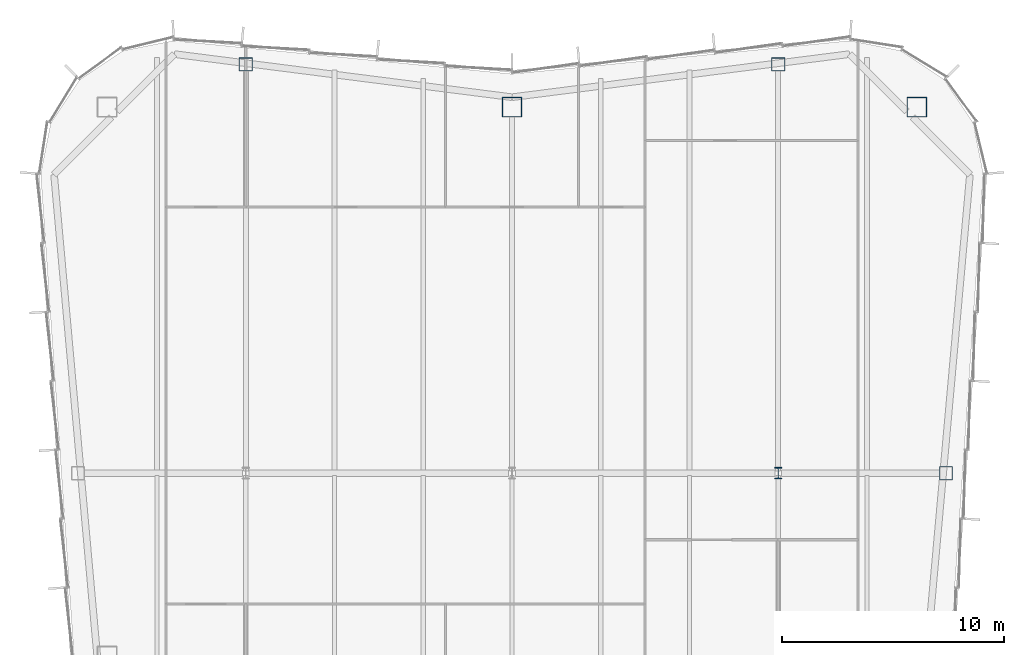
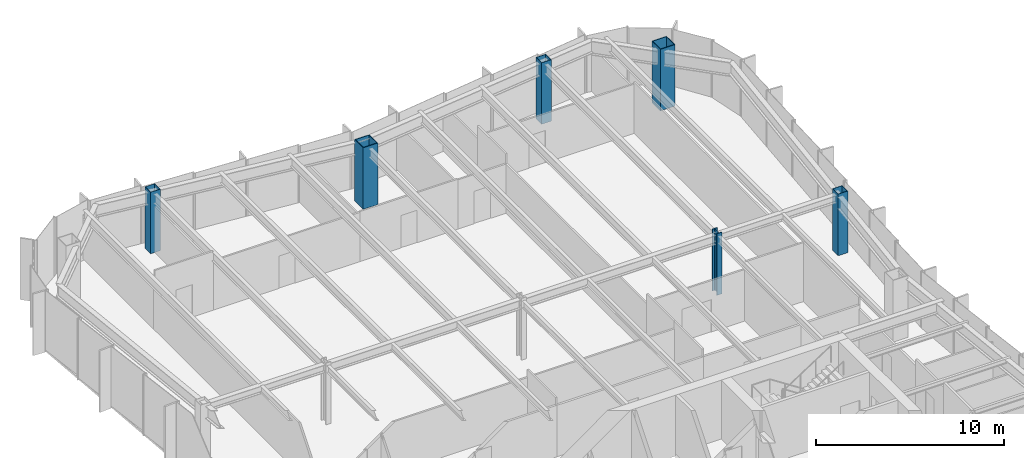
# One storey, part 2 of 13: 6 columns.
"""IFC4 building model written with IfcOpenShell, lengths in metres."""

from ifc_helpers import new_model, si_unit, direction, frame, origin, origin_2d, place, context, subcontext, project, spatial, hollow_rectangle, i_section, extrude, material, material_profile, profile_set, type_object, element, save


model = new_model("IFC4")

# Units and contexts
model_context = context("Model", 3, precision=1e-05, world=origin(), true_north=direction((0.0, 1.0)))
body_context = subcontext(model_context, "Body", "Model", "MODEL_VIEW")
ifc_project = project(units=[si_unit("LENGTHUNIT", "METRE"), si_unit("AREAUNIT", "SQUARE_METRE"), si_unit("VOLUMEUNIT", "CUBIC_METRE"), si_unit("PLANEANGLEUNIT", "RADIAN"), si_unit("MASSUNIT", "GRAM", prefix="KILO")], contexts=[model_context])

# Site, building, storey
site_placement = place(None, origin())
site = spatial("IfcSite", under=ifc_project, at=site_placement, CompositionType="ELEMENT")
building_placement = place(site_placement, origin())
building = spatial("IfcBuilding", under=site, at=building_placement, Name="Verdant Reach Tower", CompositionType="ELEMENT")
storey_placement = place(building_placement, frame((0.0, 0.0, 330.0)))
storey = spatial("IfcBuildingStorey", under=building, at=storey_placement, Name="L76", CompositionType="ELEMENT", Elevation=330.0)

# Columns
ifc_material = material(Name="Steel S460", Category="steel")
ifc_material_profile_1 = material_profile(ifc_material, i_section(OverallWidth=0.305908203125, OverallDepth=0.52392578125, WebThickness=0.012451171875, FlangeThickness=0.0400390625, FilletRadius=0.027099609375, at=origin_2d()), Name="HEM 500")
ifc_profile_set_1 = profile_set([ifc_material_profile_1], Name="Steel S460")
column_type_1 = type_object("IfcColumnType", Name="ST-COL-HEM500", PredefinedType="COLUMN", material=ifc_profile_set_1)
column_placement = place(storey_placement, frame((12.0, 49.5, 0.0), z_axis=(0.0, 0.0, 1.0), x_axis=(1.0, 0.0, 0.0)))
element("IfcColumn", 1, at=column_placement, inside=storey, type_object=column_type_1, Name="Interior column 3, L76", PredefinedType="COLUMN", context=body_context, shape_type="SweptSolid", body=[
    extrude(i_section(OverallWidth=0.305908203125, OverallDepth=0.52392578125, WebThickness=0.012451171875, FlangeThickness=0.0400390625, FilletRadius=0.027099609375, at=origin_2d()), origin(), (0.0, 0.0, 1.0), 4.0),
])
ifc_material_profile_2 = material_profile(ifc_material, hollow_rectangle(XDim=0.60009765625, YDim=0.60009765625, WallThickness=0.02490234375, at=origin_2d()), Name="WB 600x600x25")
ifc_profile_set_2 = profile_set([ifc_material_profile_2], Name="Steel S460")
column_type_2 = type_object("IfcColumnType", Name="ST-COL-WB600x600x25", PredefinedType="COLUMN", material=ifc_profile_set_2)
for number, where, z_axis, x_axis, name in (
    (2, (-12.0, 67.930419921875, 0.0), (0.0, 0.0, 1.0), (1.0, 0.0, 0.0), "Perimeter column north 1, L76"),
    (3, (12.0, 67.930419921875, 0.0), (0.0, 0.0, 1.0), (1.0, 0.0, 0.0), "Perimeter column north 2, L76"),
    (4, (19.569091796875, 49.5, 0.0), (0.0, 0.0, 1.0), (1.0, 0.0, 0.0), "Perimeter column east 2, L76"),
):
    element("IfcColumn", number, at=place(storey_placement, frame(where, z_axis=z_axis, x_axis=x_axis)), inside=storey, type_object=column_type_2, Name=name, PredefinedType="COLUMN", context=body_context, shape_type="SweptSolid", body=[
        extrude(hollow_rectangle(XDim=0.60009765625, YDim=0.60009765625, WallThickness=0.02490234375, at=origin_2d()), origin(), (0.0, 0.0, 1.0), 4.0),
    ])
ifc_material_profile_3 = material_profile(ifc_material, hollow_rectangle(XDim=0.89990234375, YDim=0.89990234375, WallThickness=0.0400390625, at=origin_2d()), Name="WB 900x900x40")
ifc_profile_set_3 = profile_set([ifc_material_profile_3], Name="Steel S460")
column_type_3 = type_object("IfcColumnType", Name="ST-COL-WB900x900x40", PredefinedType="COLUMN", material=ifc_profile_set_3)
for number, where, z_axis, x_axis, name in (
    (5, (0.0, 66.0, 0.0), (0.0, 0.0, 1.0), (1.0, 0.0, 0.0), "Mega column north, L76"),
    (6, (18.25, 66.0, 0.0), (0.0, 0.0, 1.0), (1.0, 0.0, 0.0), "Mega column north-east, L76"),
):
    element("IfcColumn", number, at=place(storey_placement, frame(where, z_axis=z_axis, x_axis=x_axis)), inside=storey, type_object=column_type_3, Name=name, PredefinedType="COLUMN", context=body_context, shape_type="SweptSolid", body=[
        extrude(hollow_rectangle(XDim=0.89990234375, YDim=0.89990234375, WallThickness=0.0400390625, at=origin_2d()), origin(), (0.0, 0.0, 1.0), 4.0),
    ])

save(model, "model.ifc")
